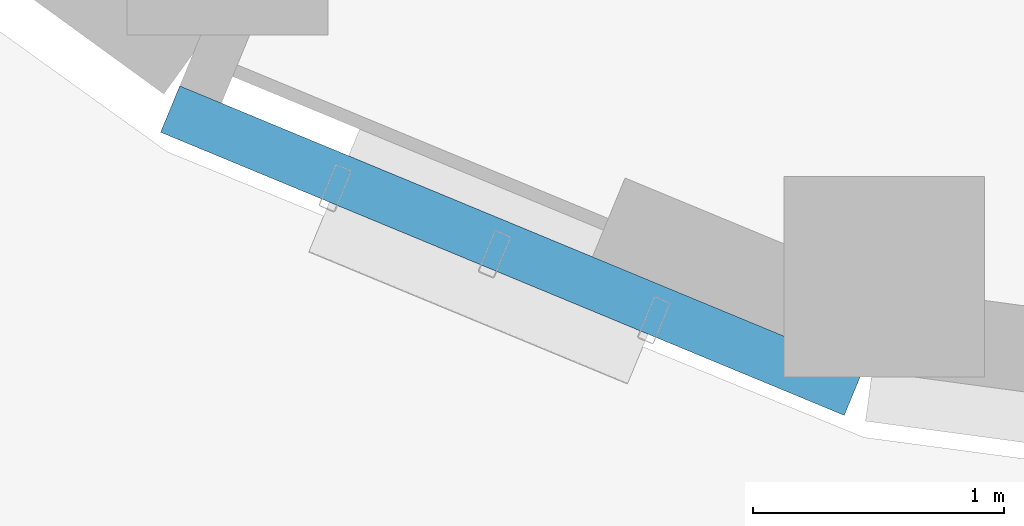
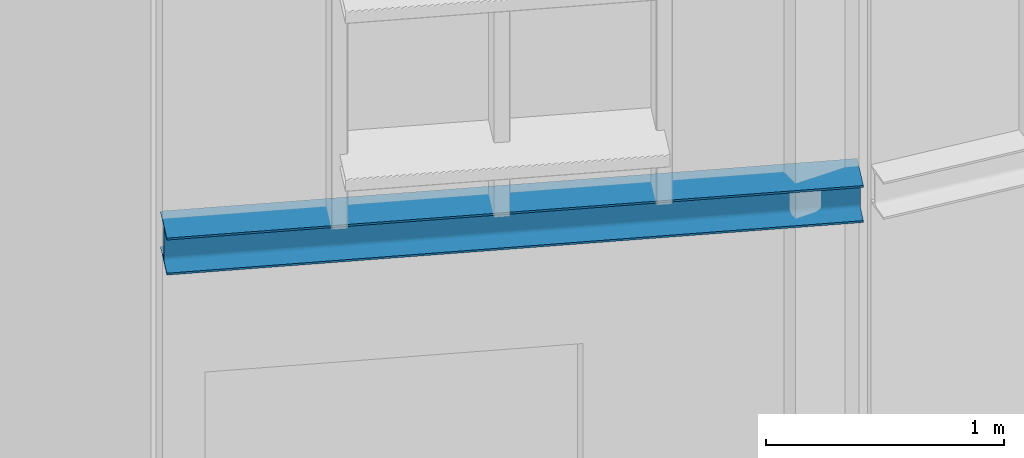
# One storey, part 28 of 372: 1 beam.
"""IFC4 building model written with IfcOpenShell, lengths in metres."""

from ifc_helpers import new_model, si_unit, direction, frame, origin, origin_2d, place, context, subcontext, project, spatial, i_section, extrude, material, material_profile, profile_set, type_object, element, save


model = new_model("IFC4")

# Units and contexts
model_context = context("Model", 3, precision=1e-05, world=origin(), true_north=direction((0.0, 1.0)))
body_context = subcontext(model_context, "Body", "Model", "MODEL_VIEW")
ifc_project = project(units=[si_unit("LENGTHUNIT", "METRE"), si_unit("AREAUNIT", "SQUARE_METRE"), si_unit("VOLUMEUNIT", "CUBIC_METRE"), si_unit("PLANEANGLEUNIT", "RADIAN"), si_unit("MASSUNIT", "GRAM", prefix="KILO")], contexts=[model_context])

# Site, building, storey
site_placement = place(None, origin())
site = spatial("IfcSite", under=ifc_project, at=site_placement, CompositionType="ELEMENT")
building_placement = place(site_placement, origin())
building = spatial("IfcBuilding", under=site, at=building_placement, Name="Kaelora Sail Theatre", CompositionType="ELEMENT")
storey_placement = place(building_placement, origin())
storey = spatial("IfcBuildingStorey", under=building, at=storey_placement, Name="L00", CompositionType="ELEMENT", Elevation=0.0)

# Beam
ifc_material = material(Name="Steel S355", Category="steel")
ifc_material_profile = material_profile(ifc_material, i_section(OverallWidth=0.199951171875, OverallDepth=0.18994140625, WebThickness=0.006591796875, FlangeThickness=0.010009765625, FilletRadius=0.01806640625, at=origin_2d()), Name="HEA 200")
ifc_profile_set = profile_set([ifc_material_profile], Name="Steel S355")
beam_type = type_object("IfcBeamType", Name="STR-BM-BM-HEA200", PredefinedType="BEAM", material=ifc_profile_set)
beam_placement = place(storey_placement, frame((39.095703125, 23.976806640625, 3.0048828125), z_axis=(-0.923897776758, 0.382639383887, 0.0), x_axis=(-0.382639383887, -0.923897776758, 0.0)))
element("IfcBeam", 1, at=beam_placement, inside=storey, type_object=beam_type, Name="Main Theatre Sail Drum brise-soleil portal lintel beam C13", PredefinedType="BEAM", context=body_context, shape_type="SweptSolid", body=[
    extrude(i_section(OverallWidth=0.199951171875, OverallDepth=0.18994140625, WebThickness=0.006591796875, FlangeThickness=0.010009765625, FilletRadius=0.01806640625, at=origin_2d()), origin(), (0.0, 0.0, 1.0), 2.948974609375),
])

save(model, "model.ifc")
